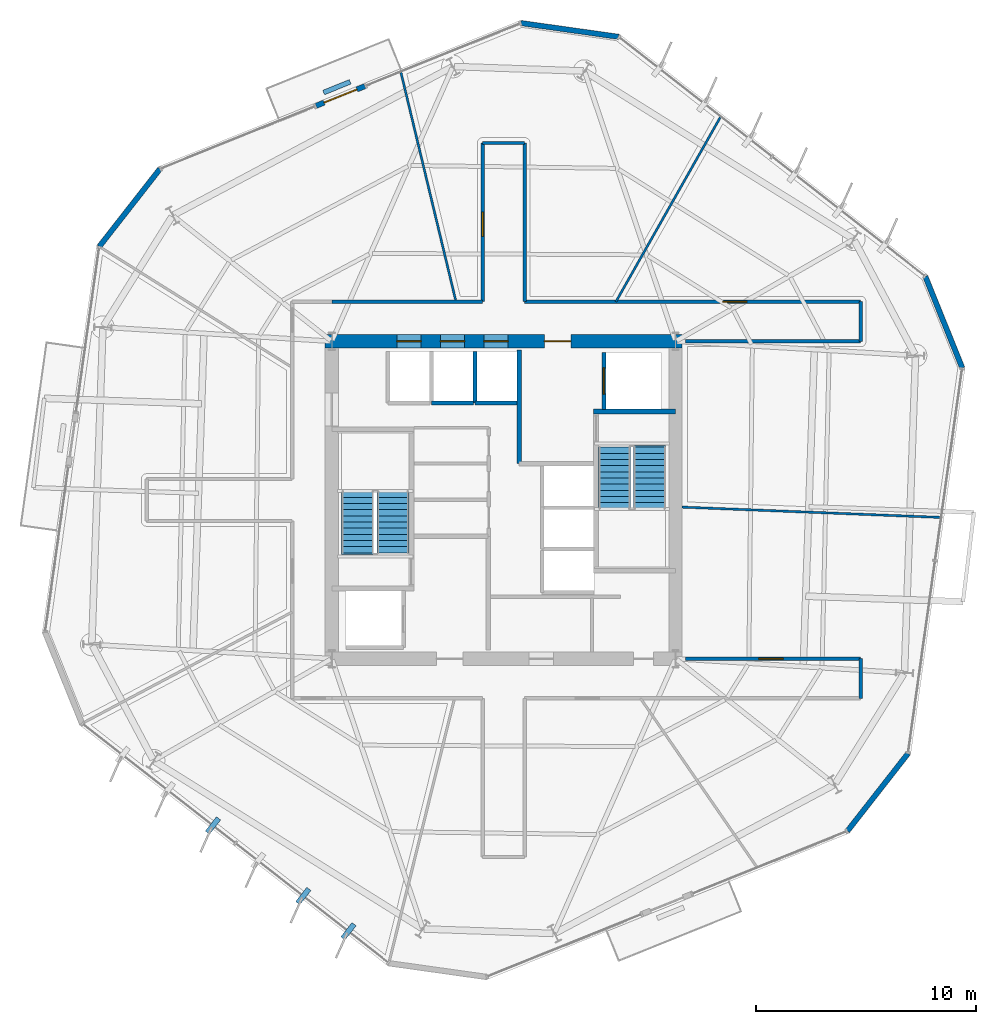
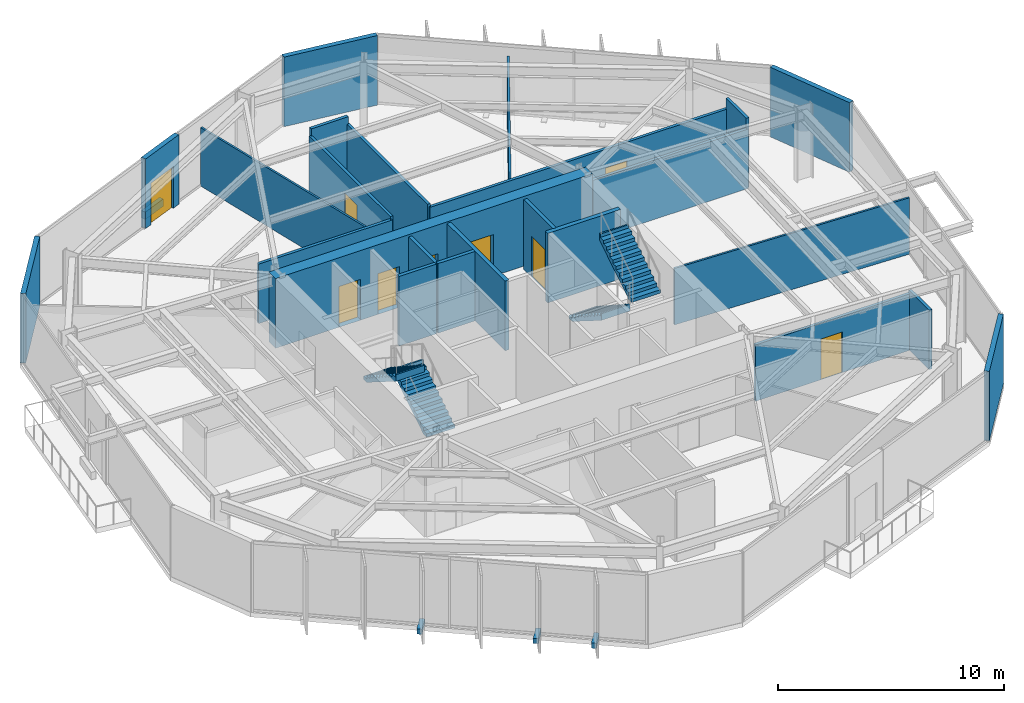
# One storey, part 8 of 12: 25 walls, 9 doors, 4 stair flights, 3 discrete accessories, 9 openings, 2 elements without a shape of their own.
"""IFC4 building model written with IfcOpenShell, lengths in metres."""

from ifc_helpers import new_model, si_unit, direction, frame, frame_2d, origin, origin_2d, place, context, subcontext, project, spatial, polyline, rectangle, outline, extrude, material, layer, layer_set, type_object, element, fill, aggregate, save


model = new_model("IFC4")

# Units and contexts
model_context = context("Model", 3, precision=1e-05, world=origin(), true_north=direction((0.0, 1.0)))
body_context = subcontext(model_context, "Body", "Model", "MODEL_VIEW")
ifc_project = project(units=[si_unit("LENGTHUNIT", "METRE"), si_unit("AREAUNIT", "SQUARE_METRE"), si_unit("VOLUMEUNIT", "CUBIC_METRE"), si_unit("PLANEANGLEUNIT", "RADIAN"), si_unit("MASSUNIT", "GRAM", prefix="KILO")], contexts=[model_context])

# Site, building, storey
site_placement = place(None, origin())
site = spatial("IfcSite", under=ifc_project, at=site_placement, CompositionType="ELEMENT")
building_placement = place(site_placement, origin())
building = spatial("IfcBuilding", under=site, at=building_placement, Name="Kranzbogen Civic Tower", CompositionType="ELEMENT")
storey_placement = place(building_placement, frame((0.0, 0.0, 110.39990234375)))
storey = spatial("IfcBuildingStorey", under=building, at=storey_placement, Name="L26", CompositionType="ELEMENT", Elevation=110.39990234375)

# Wall
ifc_material_1 = material(Name="Double-Stud Acoustic Gypsum Partition")
ifc_layer_1 = layer(ifc_material_1, 0.14990234375, Name="Double-Stud Acoustic Gypsum Partition")
ifc_layer_set_1 = layer_set([ifc_layer_1], Name="Double-Stud Acoustic Gypsum Partition")
wall_type_1 = type_object("IfcWallType", Name="Acoustic Corridor and Clinical Partition 150 mm", PredefinedType="PARTITIONING", material=ifc_layer_set_1)
wall_1_placement = place(storey_placement, frame((17.199951171875, 34.0, 0.0), z_axis=(0.0, 0.0, 1.0), x_axis=(1.0, 0.0, 0.0)))
element("IfcWall", 1, at=wall_1_placement, inside=storey, type_object=wall_type_1, Name="L26 corridor partition 10", PredefinedType="PARTITIONING", context=body_context, shape_type="SweptSolid", body=[
    extrude(rectangle(XDim=6.85009765625, YDim=0.14990234375, at=frame_2d((3.425048828125, 0.0))), origin(), (0.0, 0.0, 1.0), 3.210205078125),
])

# Wall, opening, door
wall_2_placement = place(storey_placement, frame((24.050048828125, 34.0, 0.0), z_axis=(0.0, 0.0, 1.0), x_axis=(0.0, 1.0, 0.0)))
wall_2 = element("IfcWall", 2, at=wall_2_placement, inside=storey, type_object=wall_type_1, Name="L26 corridor partition 11", PredefinedType="PARTITIONING", context=body_context, shape_type="SweptSolid", body=[
    extrude(rectangle(XDim=7.199951171875, YDim=0.14990234375, at=frame_2d((3.60009765625, 0.0))), origin(), (0.0, 0.0, 1.0), 3.360107421875),
])
opening_1_placement = place(wall_2_placement, frame((2.9619140625, 0.0, 0.0)))
opening_1 = element("IfcOpeningElement", 3, at=opening_1_placement, cuts=wall_2, Name="Opening D-COR60", PredefinedType="OPENING", context=body_context, shape_type="SweptSolid", body=[
    extrude(rectangle(XDim=1.10009765625, YDim=2.199951171875, at=frame_2d((0.550048828125, 1.10009765625))), frame((0.0, 0.0849609375, 0.0), z_axis=(0.0, -1.0, 0.0), x_axis=(1.0, 0.0, 0.0)), (0.0, 0.0, 1.0), 0.169921875),
])
ifc_material_2 = material(Name="Oak Timber and Fire Core", Category="wood")
door_type_1 = type_object("IfcDoorType", Name="Corridor Acoustic Fire Door 1100x2200", OperationType="NOTDEFINED", PredefinedType="DOOR", material=ifc_material_2)
door_1_placement = place(opening_1_placement, origin())
door_1 = element("IfcDoor", 4, at=door_1_placement, inside=storey, type_object=door_type_1, Name="L26 Executive Research Study door", OperationType="SINGLE_SWING_RIGHT", OverallHeight=2.199951171875, OverallWidth=1.10009765625, PredefinedType="DOOR", context=body_context, shape_type="SweptSolid", body=[
    extrude(rectangle(XDim=1.10009765625, YDim=2.199951171875, at=frame_2d((0.550048828125, 1.10009765625))), frame((0.0, 0.02490234375, 0.0), z_axis=(0.0, -1.0, 0.0), x_axis=(1.0, 0.0, 0.0)), (0.0, 0.0, 1.0), 0.050048828125),
])
fill(opening_1, door_1)

# Walls
wall_3_placement = place(storey_placement, frame((24.050048828125, 41.199951171875, 0.0), z_axis=(0.0, 0.0, 1.0), x_axis=(1.0, 0.0, 0.0)))
element("IfcWall", 5, at=wall_3_placement, inside=storey, type_object=wall_type_1, Name="L26 corridor partition 12", PredefinedType="PARTITIONING", context=body_context, shape_type="SweptSolid", body=[
    extrude(rectangle(XDim=1.89990234375, YDim=0.14990234375, at=frame_2d((0.949951171875, 0.0))), origin(), (0.0, 0.0, 1.0), 3.760009765625),
])
wall_4_placement = place(storey_placement, frame((25.949951171875, 41.199951171875, 0.0), z_axis=(0.0, 0.0, 1.0), x_axis=(0.0, -1.0, 0.0)))
element("IfcWall", 6, at=wall_4_placement, inside=storey, type_object=wall_type_1, Name="L26 corridor partition 13", PredefinedType="PARTITIONING", context=body_context, shape_type="SweptSolid", body=[
    extrude(rectangle(XDim=7.199951171875, YDim=0.14990234375, at=frame_2d((3.60009765625, 0.0))), origin(), (0.0, 0.0, 1.0), 3.360107421875),
])

# Wall, opening, door
wall_5_placement = place(storey_placement, frame((25.949951171875, 34.0, 0.0), z_axis=(0.0, 0.0, 1.0), x_axis=(1.0, 0.0, 0.0)))
wall_5 = element("IfcWall", 7, at=wall_5_placement, inside=storey, type_object=wall_type_1, Name="L26 corridor partition 14", PredefinedType="PARTITIONING", context=body_context, shape_type="SweptSolid", body=[
    extrude(rectangle(XDim=15.25, YDim=0.14990234375, at=frame_2d((7.625, 0.0))), origin(), (0.0, 0.0, 1.0), 3.210205078125),
])
opening_2_placement = place(wall_5_placement, frame((8.987060546875, 0.0, 0.0)))
opening_2 = element("IfcOpeningElement", 8, at=opening_2_placement, cuts=wall_5, Name="Opening D-COR60", PredefinedType="OPENING", context=body_context, shape_type="SweptSolid", body=[
    extrude(rectangle(XDim=1.10009765625, YDim=2.199951171875, at=frame_2d((0.550048828125, 1.10009765625))), frame((0.0, 0.0849609375, 0.0), z_axis=(0.0, -1.0, 0.0), x_axis=(1.0, 0.0, 0.0)), (0.0, 0.0, 1.0), 0.169921875),
])
door_2_placement = place(opening_2_placement, origin())
door_2 = element("IfcDoor", 9, at=door_2_placement, inside=storey, type_object=door_type_1, Name="L26 Policy Seminar Room door", OperationType="SINGLE_SWING_RIGHT", OverallHeight=2.199951171875, OverallWidth=1.10009765625, PredefinedType="DOOR", context=body_context, shape_type="SweptSolid", body=[
    extrude(rectangle(XDim=1.10009765625, YDim=2.199951171875, at=frame_2d((0.550048828125, 1.10009765625))), frame((0.0, 0.02490234375, 0.0), z_axis=(0.0, -1.0, 0.0), x_axis=(1.0, 0.0, 0.0)), (0.0, 0.0, 1.0), 0.050048828125),
])
fill(opening_2, door_2)

# Walls
wall_6_placement = place(storey_placement, frame((41.199951171875, 34.0, 0.0), z_axis=(0.0, 0.0, 1.0), x_axis=(0.0, -1.0, 0.0)))
element("IfcWall", 10, at=wall_6_placement, inside=storey, type_object=wall_type_1, Name="L26 corridor partition 15", PredefinedType="PARTITIONING", context=body_context, shape_type="SweptSolid", body=[
    extrude(rectangle(XDim=1.800048828125, YDim=0.14990234375, at=frame_2d((0.89990234375, 0.0))), origin(), (0.0, 0.0, 1.0), 3.760009765625),
])
wall_7_placement = place(storey_placement, frame((41.199951171875, 32.199951171875, 0.0), z_axis=(0.0, 0.0, 1.0), x_axis=(-1.0, 0.0, 0.0)))
element("IfcWall", 11, at=wall_7_placement, inside=storey, type_object=wall_type_1, Name="L26 corridor partition 16", PredefinedType="PARTITIONING", context=body_context, shape_type="SweptSolid", body=[
    extrude(rectangle(XDim=7.952880859375, YDim=0.14990234375, at=frame_2d((3.9765625, 0.0))), origin(), (0.0, 0.0, 1.0), 3.210205078125),
])

# Wall, opening, door
wall_8_placement = place(storey_placement, frame((33.2470703125, 17.800048828125, 0.0), z_axis=(0.0, 0.0, 1.0), x_axis=(1.0, 0.0, 0.0)))
wall_8 = element("IfcWall", 12, at=wall_8_placement, inside=storey, type_object=wall_type_1, Name="L26 corridor partition 17", PredefinedType="PARTITIONING", context=body_context, shape_type="SweptSolid", body=[
    extrude(rectangle(XDim=7.952880859375, YDim=0.14990234375, at=frame_2d((3.9765625, 0.0))), origin(), (0.0, 0.0, 1.0), 3.050048828125),
])
opening_3_placement = place(wall_8_placement, frame((3.337890625, 0.0, 0.0)))
opening_3 = element("IfcOpeningElement", 13, at=opening_3_placement, cuts=wall_8, Name="Opening D-COR60", PredefinedType="OPENING", context=body_context, shape_type="SweptSolid", body=[
    extrude(rectangle(XDim=1.10009765625, YDim=2.199951171875, at=frame_2d((0.550048828125, 1.10009765625))), frame((0.0, 0.0849609375, 0.0), z_axis=(0.0, -1.0, 0.0), x_axis=(1.0, 0.0, 0.0)), (0.0, 0.0, 1.0), 0.169921875),
])
door_3_placement = place(opening_3_placement, origin())
door_3 = element("IfcDoor", 14, at=door_3_placement, inside=storey, type_object=door_type_1, Name="L26 Delegates Sitting Lounge door", OperationType="SINGLE_SWING_LEFT", OverallHeight=2.199951171875, OverallWidth=1.10009765625, PredefinedType="DOOR", context=body_context, shape_type="SweptSolid", body=[
    extrude(rectangle(XDim=1.10009765625, YDim=2.199951171875, at=frame_2d((0.550048828125, 1.10009765625))), frame((0.0, 0.02490234375, 0.0), z_axis=(0.0, -1.0, 0.0), x_axis=(1.0, 0.0, 0.0)), (0.0, 0.0, 1.0), 0.050048828125),
])
fill(opening_3, door_3)

# Walls
wall_9_placement = place(storey_placement, frame((41.199951171875, 17.800048828125, 0.0), z_axis=(0.0, 0.0, 1.0), x_axis=(0.0, -1.0, 0.0)))
element("IfcWall", 15, at=wall_9_placement, inside=storey, type_object=wall_type_1, Name="L26 corridor partition 18", PredefinedType="PARTITIONING", context=body_context, shape_type="SweptSolid", body=[
    extrude(rectangle(XDim=1.800048828125, YDim=0.14990234375, at=frame_2d((0.89990234375, 0.0))), origin(), (0.0, 0.0, 1.0), 3.210205078125),
])
ifc_material_3 = material(Name="Architectural Precast Terracotta Concrete C40/50", Category="masonry")
ifc_layer_2 = layer(ifc_material_3, 0.219970703125, Name="Architectural Precast Terracotta Concrete C40/50")
ifc_layer_set_2 = layer_set([ifc_layer_2], Name="Architectural Precast Terracotta Concrete C40/50")
wall_type_2 = type_object("IfcWallType", Name="Architectural Tree Planter Kerb Wall 220 mm", PredefinedType="USERDEFINED", material=ifc_layer_set_2)
wall_10_placement = place(storey_placement, frame((18.033935546875, 43.97705078125, 0.0), z_axis=(0.0, 0.0, 1.0), x_axis=(-0.926980993663, -0.375108300877, 0.0)))
element("IfcWall", 16, at=wall_10_placement, inside=storey, type_object=wall_type_2, Name="L26 landscaped tree balcony planter L26-TB1", ObjectType="PLANTER_WALL", PredefinedType="USERDEFINED", context=body_context, shape_type="SweptSolid", body=[
    extrude(rectangle(XDim=1.301025390625, YDim=0.219970703125, at=frame_2d((0.650390625, 0.0))), origin(), (0.0, 0.0, 1.0), 0.400146484375),
])

# Wall, openings, doors
ifc_material_4 = material(Name="Concrete C55/67", Category="concrete")
ifc_layer_3 = layer(ifc_material_4, 0.60009765625, Name="Concrete C55/67")
ifc_layer_set_3 = layer_set([ifc_layer_3], Name="Concrete C55/67")
wall_type_3 = type_object("IfcWallType", Name="Central Core Shear Wall 600 mm", PredefinedType="SHEAR", material=ifc_layer_set_3)
wall_11_placement = place(storey_placement, frame((33.10009765625, 32.199951171875, 0.0), z_axis=(0.0, 0.0, 1.0), x_axis=(-1.0, 0.0, 0.0)))
wall_11 = element("IfcWall", 17, at=wall_11_placement, inside=storey, type_object=wall_type_3, Name="L26 central core North shear wall", PredefinedType="SHEAR", context=body_context, shape_type="SweptSolid", body=[
    extrude(rectangle(XDim=16.2001953125, YDim=0.60009765625, at=frame_2d((8.10009765625, 0.0))), origin(), (0.0, 0.0, 1.0), 3.760009765625),
])
opening_4_placement = place(wall_11_placement, frame((5.050048828125, 0.0, 0.0)))
opening_4 = element("IfcOpeningElement", 18, at=opening_4_placement, cuts=wall_11, Name="Opening D-EX120", PredefinedType="OPENING", context=body_context, shape_type="SweptSolid", body=[
    extrude(rectangle(XDim=1.199951171875, YDim=2.25, at=frame_2d((0.60009765625, 1.125))), frame((0.0, 0.31005859375, 0.0), z_axis=(0.0, -1.0, 0.0), x_axis=(1.0, 0.0, 0.0)), (0.0, 0.0, 1.0), 0.6201171875),
])
opening_5_placement = place(wall_11_placement, frame((11.85009765625, 0.0, 0.0)))
opening_5 = element("IfcOpeningElement", 19, at=opening_5_placement, cuts=wall_11, Name="Opening LD-MP-01", PredefinedType="OPENING", context=body_context, shape_type="SweptSolid", body=[
    extrude(rectangle(XDim=1.10009765625, YDim=2.199951171875, at=frame_2d((0.550048828125, 1.10009765625))), frame((0.0, 0.31005859375, 0.0), z_axis=(0.0, -1.0, 0.0), x_axis=(1.0, 0.0, 0.0)), (0.0, 0.0, 1.0), 0.6201171875),
])
opening_6_placement = place(wall_11_placement, frame((9.875, 0.0, 0.0)))
opening_6 = element("IfcOpeningElement", 20, at=opening_6_placement, cuts=wall_11, Name="Opening LD-MP-02", PredefinedType="OPENING", context=body_context, shape_type="SweptSolid", body=[
    extrude(rectangle(XDim=1.10009765625, YDim=2.199951171875, at=frame_2d((0.550048828125, 1.10009765625))), frame((0.0, 0.31005859375, 0.0), z_axis=(0.0, -1.0, 0.0), x_axis=(1.0, 0.0, 0.0)), (0.0, 0.0, 1.0), 0.6201171875),
])
opening_7_placement = place(wall_11_placement, frame((7.89990234375, 0.0, 0.0)))
opening_7 = element("IfcOpeningElement", 21, at=opening_7_placement, cuts=wall_11, Name="Opening LD-MP-03", PredefinedType="OPENING", context=body_context, shape_type="SweptSolid", body=[
    extrude(rectangle(XDim=1.10009765625, YDim=2.199951171875, at=frame_2d((0.550048828125, 1.10009765625))), frame((0.0, 0.31005859375, 0.0), z_axis=(0.0, -1.0, 0.0), x_axis=(1.0, 0.0, 0.0)), (0.0, 0.0, 1.0), 0.6201171875),
])
ifc_material_5 = material(Name="Steel S355", Category="steel")
door_type_2 = type_object("IfcDoorType", Name="Exit Passageway Fire Door 1200x2250", OperationType="NOTDEFINED", PredefinedType="DOOR", material=ifc_material_5)
door_4_placement = place(opening_4_placement, origin())
door_4 = element("IfcDoor", 22, at=door_4_placement, inside=storey, type_object=door_type_2, Name="L26 East firefighting lobby corridor door", OperationType="SINGLE_SWING_RIGHT", OverallHeight=2.25, OverallWidth=1.199951171875, PredefinedType="DOOR", context=body_context, shape_type="SweptSolid", body=[
    extrude(rectangle(XDim=1.199951171875, YDim=2.25, at=frame_2d((0.60009765625, 1.125))), frame((0.0, 0.02490234375, 0.0), z_axis=(0.0, -1.0, 0.0), x_axis=(1.0, 0.0, 0.0)), (0.0, 0.0, 1.0), 0.050048828125),
])
fill(opening_4, door_4)
ifc_material_6 = material(Name="Pale Anodised Aluminium", Category="aluminium")
door_type_3 = type_object("IfcDoorType", Name="Passenger Lift Sliding Landing Door 1100x2200", OperationType="DOUBLE_DOOR_SLIDING", PredefinedType="DOOR", material=ifc_material_6)
door_5_placement = place(opening_5_placement, origin())
door_5 = element("IfcDoor", 23, at=door_5_placement, inside=storey, type_object=door_type_3, Name="L26 lift MP-01 sliding landing door", OperationType="DOUBLE_DOOR_SLIDING", OverallHeight=2.199951171875, OverallWidth=1.10009765625, PredefinedType="DOOR", context=body_context, shape_type="SweptSolid", body=[
    extrude(rectangle(XDim=1.10009765625, YDim=2.199951171875, at=frame_2d((0.550048828125, 1.10009765625))), frame((0.0, 0.02490234375, 0.0), z_axis=(0.0, -1.0, 0.0), x_axis=(1.0, 0.0, 0.0)), (0.0, 0.0, 1.0), 0.050048828125),
])
fill(opening_5, door_5)
door_6_placement = place(opening_6_placement, origin())
door_6 = element("IfcDoor", 24, at=door_6_placement, inside=storey, type_object=door_type_3, Name="L26 lift MP-02 sliding landing door", OperationType="DOUBLE_DOOR_SLIDING", OverallHeight=2.199951171875, OverallWidth=1.10009765625, PredefinedType="DOOR", context=body_context, shape_type="SweptSolid", body=[
    extrude(rectangle(XDim=1.10009765625, YDim=2.199951171875, at=frame_2d((0.550048828125, 1.10009765625))), frame((0.0, 0.02490234375, 0.0), z_axis=(0.0, -1.0, 0.0), x_axis=(1.0, 0.0, 0.0)), (0.0, 0.0, 1.0), 0.050048828125),
])
fill(opening_6, door_6)
door_7_placement = place(opening_7_placement, origin())
door_7 = element("IfcDoor", 25, at=door_7_placement, inside=storey, type_object=door_type_3, Name="L26 lift MP-03 sliding landing door", OperationType="DOUBLE_DOOR_SLIDING", OverallHeight=2.199951171875, OverallWidth=1.10009765625, PredefinedType="DOOR", context=body_context, shape_type="SweptSolid", body=[
    extrude(rectangle(XDim=1.10009765625, YDim=2.199951171875, at=frame_2d((0.550048828125, 1.10009765625))), frame((0.0, 0.02490234375, 0.0), z_axis=(0.0, -1.0, 0.0), x_axis=(1.0, 0.0, 0.0)), (0.0, 0.0, 1.0), 0.050048828125),
])
fill(opening_7, door_7)

# Walls
ifc_material_7 = material(Name="Concrete C45/55", Category="concrete")
ifc_layer_4 = layer(ifc_material_7, 0.219970703125, Name="Concrete C45/55")
ifc_layer_set_4 = layer_set([ifc_layer_4], Name="Concrete C45/55")
wall_type_4 = type_object("IfcWallType", Name="Core Internal Stair Structural Wall 220 mm", PredefinedType="SOLIDWALL", material=ifc_layer_set_4)
wall_12_placement = place(storey_placement, frame((29.080078125, 29.010009765625, 0.0), z_axis=(0.0, 0.0, 1.0), x_axis=(1.0, 0.0, 0.0)))
element("IfcWall", 26, at=wall_12_placement, inside=storey, type_object=wall_type_4, Name="L26 ST-T2 North structural stair wall", PredefinedType="SOLIDWALL", context=body_context, shape_type="SweptSolid", body=[
    extrude(rectangle(XDim=3.719970703125, YDim=0.219970703125, at=frame_2d((1.85986328125, 0.0))), origin(), (0.0, 0.0, 1.0), 3.760009765625),
])
ifc_material_8 = material(Name="Demountable Aluminium and Gypsum Partition", Category="aluminium")
ifc_layer_5 = layer(ifc_material_8, 0.10009765625, Name="Demountable Aluminium and Gypsum Partition")
ifc_layer_set_5 = layer_set([ifc_layer_5], Name="Demountable Aluminium and Gypsum Partition")
wall_type_5 = type_object("IfcWallType", Name="Demountable Office Partition 100 mm", PredefinedType="MOVABLE", material=ifc_layer_set_5)
wall_13_placement = place(storey_placement, frame((30.094970703125, 34.0, 0.0), z_axis=(0.0, 0.0, 1.0), x_axis=(0.492564171428, 0.870276126885, 0.0)))
element("IfcWall", 27, at=wall_13_placement, inside=storey, type_object=wall_type_5, Name="L26 radial room partition 01", PredefinedType="MOVABLE", context=body_context, shape_type="SweptSolid", body=[
    extrude(rectangle(XDim=9.631591796875, YDim=0.10009765625, at=frame_2d((4.81591796875, 0.0))), origin(), (0.0, 0.0, 1.0), 3.16015625),
])
wall_14_placement = place(storey_placement, frame((22.8369140625, 34.0, 0.0), z_axis=(0.0, 0.0, 1.0), x_axis=(-0.233627966114, 0.97232606334, 0.0)))
element("IfcWall", 28, at=wall_14_placement, inside=storey, type_object=wall_type_5, Name="L26 radial room partition 02", PredefinedType="MOVABLE", context=body_context, shape_type="SweptSolid", body=[
    extrude(rectangle(XDim=10.717529296875, YDim=0.10009765625, at=frame_2d((5.35888671875, 0.0))), origin(), (0.0, 0.0, 1.0), 3.16015625),
])
wall_15_placement = place(storey_placement, frame((33.10009765625, 24.677001953125, 0.0), z_axis=(0.0, 0.0, 1.0), x_axis=(0.999206030208, -0.039841049127, 0.0)))
element("IfcWall", 29, at=wall_15_placement, inside=storey, type_object=wall_type_5, Name="L26 radial room partition 07", PredefinedType="MOVABLE", context=body_context, shape_type="SweptSolid", body=[
    extrude(rectangle(XDim=11.7470703125, YDim=0.10009765625, at=frame_2d((5.87353515625, 0.0))), origin(), (0.0, 0.0, 1.0), 3.050048828125),
])
ifc_material_9 = material(Name="Gypsum Fireboard and Concrete Block", Category="concrete")
ifc_layer_6 = layer(ifc_material_9, 0.199951171875, Name="Gypsum Fireboard and Concrete Block")
ifc_layer_set_6 = layer_set([ifc_layer_6], Name="Gypsum Fireboard and Concrete Block")
wall_type_6 = type_object("IfcWallType", Name="Fire-Rated Exit Passageway and Stair Wall 200 mm", PredefinedType="PARTITIONING", material=ifc_layer_set_6)
wall_16_placement = place(storey_placement, frame((25.699951171875, 26.64990234375, 0.0), z_axis=(0.0, 0.0, 1.0), x_axis=(0.0, 1.0, 0.0)))
element("IfcWall", 30, at=wall_16_placement, inside=storey, type_object=wall_type_6, Name="L26 East firefighting lobby West wall", PredefinedType="PARTITIONING", context=body_context, shape_type="SweptSolid", body=[
    extrude(rectangle(XDim=5.150146484375, YDim=0.199951171875, at=frame_2d((2.5751953125, 0.0))), origin(), (0.0, 0.0, 1.0), 3.760009765625),
])
ifc_material_10 = material(Name="Gypsum Fireboard Shaftliner")
ifc_layer_7 = layer(ifc_material_10, 0.175048828125, Name="Gypsum Fireboard Shaftliner")
ifc_layer_set_7 = layer_set([ifc_layer_7], Name="Gypsum Fireboard Shaftliner")
wall_type_7 = type_object("IfcWallType", Name="Fire-Rated Lift and Service Shaft Wall 175 mm", PredefinedType="PARTITIONING", material=ifc_layer_set_7)
wall_17_placement = place(storey_placement, frame((21.72509765625, 29.39990234375, 0.0), z_axis=(0.0, 0.0, 1.0), x_axis=(1.0, 0.0, 0.0)))
element("IfcWall", 31, at=wall_17_placement, inside=storey, type_object=wall_type_7, Name="L26 lift MP-02 rear wall", PredefinedType="PARTITIONING", context=body_context, shape_type="SweptSolid", body=[
    extrude(rectangle(XDim=1.89990234375, YDim=0.175048828125, at=frame_2d((0.949951171875, 0.0))), origin(), (0.0, 0.0, 1.0), 3.760009765625),
])
wall_18_placement = place(storey_placement, frame((23.699951171875, 29.39990234375, 0.0), z_axis=(0.0, 0.0, 1.0), x_axis=(1.0, 0.0, 0.0)))
element("IfcWall", 32, at=wall_18_placement, inside=storey, type_object=wall_type_7, Name="L26 lift MP-03 rear wall", PredefinedType="PARTITIONING", context=body_context, shape_type="SweptSolid", body=[
    extrude(rectangle(XDim=1.900146484375, YDim=0.175048828125, at=frame_2d((0.9501953125, 0.0))), origin(), (0.0, 0.0, 1.0), 3.760009765625),
])
wall_19_placement = place(storey_placement, frame((23.699951171875, 29.39990234375, 0.0), z_axis=(0.0, 0.0, 1.0), x_axis=(0.0, 1.0, 0.0)))
element("IfcWall", 33, at=wall_19_placement, inside=storey, type_object=wall_type_7, Name="L26 lift MP-03 side wall", PredefinedType="PARTITIONING", context=body_context, shape_type="SweptSolid", body=[
    extrude(rectangle(XDim=2.35009765625, YDim=0.175048828125, at=frame_2d((1.175048828125, 0.0))), origin(), (0.0, 0.0, 1.0), 3.760009765625),
])

# Wall, opening, door
wall_20_placement = place(storey_placement, frame((29.550048828125, 29.10009765625, 0.0), z_axis=(0.0, 0.0, 1.0), x_axis=(0.0, 1.0, 0.0)))
wall_20 = element("IfcWall", 34, at=wall_20_placement, inside=storey, type_object=wall_type_7, Name="L26 lift FF-02 landing wall", PredefinedType="PARTITIONING", context=body_context, shape_type="SweptSolid", body=[
    extrude(rectangle(XDim=2.599853515625, YDim=0.175048828125, at=frame_2d((1.2998046875, 0.0))), origin(), (0.0, 0.0, 1.0), 3.760009765625),
])
opening_8_placement = place(wall_20_placement, frame((0.699951171875, 0.0, 0.0)))
opening_8 = element("IfcOpeningElement", 35, at=opening_8_placement, cuts=wall_20, Name="Opening LD-FF-02", PredefinedType="OPENING", context=body_context, shape_type="SweptSolid", body=[
    extrude(rectangle(XDim=1.199951171875, YDim=2.199951171875, at=frame_2d((0.60009765625, 1.10009765625))), frame((0.0, 0.09765625, 0.0), z_axis=(0.0, -1.0, 0.0), x_axis=(1.0, 0.0, 0.0)), (0.0, 0.0, 1.0), 0.195068359375),
])
door_type_4 = type_object("IfcDoorType", Name="Firefighting and Stretcher Lift Sliding Landing Door 1200x2200", OperationType="DOUBLE_DOOR_SLIDING", PredefinedType="DOOR", material=ifc_material_6)
door_8_placement = place(opening_8_placement, origin())
door_8 = element("IfcDoor", 36, at=door_8_placement, inside=storey, type_object=door_type_4, Name="L26 lift FF-02 sliding landing door", OperationType="DOUBLE_DOOR_SLIDING", OverallHeight=2.199951171875, OverallWidth=1.199951171875, PredefinedType="DOOR", context=body_context, shape_type="SweptSolid", body=[
    extrude(rectangle(XDim=1.199951171875, YDim=2.199951171875, at=frame_2d((0.60009765625, 1.10009765625))), frame((0.0, 0.02490234375, 0.0), z_axis=(0.0, -1.0, 0.0), x_axis=(1.0, 0.0, 0.0)), (0.0, 0.0, 1.0), 0.050048828125),
])
fill(opening_8, door_8)

# Wall
ifc_layer_8 = layer(ifc_material_6, 0.239990234375, Name="Pale Anodised Aluminium")
ifc_layer_set_8 = layer_set([ifc_layer_8], Name="Pale Anodised Aluminium")
wall_type_8 = type_object("IfcWallType", Name="Insulated Aluminium Facade Portal Wall 240 mm", PredefinedType="STANDARD", material=ifc_layer_set_8)
wall_21_placement = place(storey_placement, frame((30.2109375, 46.01904296875, 0.0), z_axis=(0.0, 0.0, 1.0), x_axis=(-0.990241158584, 0.139364442547, 0.0)))
element("IfcWall", 37, at=wall_21_placement, inside=storey, type_object=wall_type_8, Name="L26 chamfered corner facade spandrel 1", PredefinedType="STANDARD", context=body_context, shape_type="SweptSolid", body=[
    extrude(rectangle(XDim=4.470703125, YDim=0.239990234375, at=frame_2d((2.2353515625, 0.0))), origin(), (0.0, 0.0, 1.0), 3.760009765625),
])

# Wall, opening, door
wall_22_placement = place(storey_placement, frame((18.7060546875, 43.781982421875, 0.0), z_axis=(0.0, 0.0, 1.0), x_axis=(-0.927194278769, -0.374580791576, 0.0)))
wall_22 = element("IfcWall", 38, at=wall_22_placement, inside=storey, type_object=wall_type_8, Name="L26 exterior entrance portal wall 1", PredefinedType="STANDARD", context=body_context, shape_type="SweptSolid", body=[
    extrude(rectangle(XDim=2.39990234375, YDim=0.239990234375, at=frame_2d((1.199951171875, 0.0))), origin(), (0.0, 0.0, 1.0), 3.760009765625),
])
opening_9_placement = place(wall_22_placement, frame((0.39990234375, 0.0, 0.0)))
opening_9 = element("IfcOpeningElement", 39, at=opening_9_placement, cuts=wall_22, Name="Opening D-TER", PredefinedType="OPENING", context=body_context, shape_type="SweptSolid", body=[
    extrude(rectangle(XDim=1.60009765625, YDim=2.25, at=frame_2d((0.800048828125, 1.125))), frame((0.0, 0.1298828125, 0.0), z_axis=(0.0, -1.0, 0.0), x_axis=(1.0, 0.0, 0.0)), (0.0, 0.0, 1.0), 0.260009765625),
])
ifc_material_11 = material(Name="Anodised Bronze and Triple Glass", Category="glass")
door_type_5 = type_object("IfcDoorType", Name="Glazed Terrace and Balcony Double Door 1600x2250", OperationType="DOUBLE_DOOR_SINGLE_SWING", PredefinedType="DOOR", material=ifc_material_11)
door_9_placement = place(opening_9_placement, frame((1.60009765625, 0.0, 0.0), z_axis=(0.0, 0.0, 1.0), x_axis=(-1.0, 0.0, 0.0)))
door_9 = element("IfcDoor", 40, at=door_9_placement, inside=storey, type_object=door_type_5, Name="L26 tree balcony access door L26-TB1", OperationType="DOUBLE_DOOR_SINGLE_SWING", OverallHeight=2.25, OverallWidth=1.60009765625, PredefinedType="DOOR", context=body_context, shape_type="SweptSolid", body=[
    extrude(rectangle(XDim=1.60009765625, YDim=2.25, at=frame_2d((0.800048828125, 1.125))), frame((0.0, 0.02490234375, 0.0), z_axis=(0.0, -1.0, 0.0), x_axis=(1.0, 0.0, 0.0)), (0.0, 0.0, 1.0), 0.050048828125),
])
fill(opening_9, door_9)

# Walls
for number, where, z_axis, x_axis, name in (
    (41, (9.403076171875, 40.02294921875, 0.0), (0.0, 0.0, 1.0), (-0.615764831552, -0.787929991956, 0.0), "L26 chamfered corner facade spandrel 2"),
    (42, (40.596923828125, 9.97705078125, 0.0), (0.0, 0.0, 1.0), (0.615764831552, 0.787929991956, 0.0), "L26 chamfered corner facade spandrel 5"),
):
    element("IfcWall", number, at=place(storey_placement, frame(where, z_axis=z_axis, x_axis=x_axis)), inside=storey, type_object=wall_type_8, Name=name, PredefinedType="STANDARD", context=body_context, shape_type="SweptSolid", body=[
        extrude(rectangle(XDim=4.47119140625, YDim=0.239990234375, at=frame_2d((2.235595703125, 0.0))), origin(), (0.0, 0.0, 1.0), 3.760009765625),
    ])
wall_23_placement = place(storey_placement, frame((45.80908203125, 30.99609375, 0.0), z_axis=(0.0, 0.0, 1.0), x_axis=(-0.374674323127, 0.927156487109, 0.0)))
element("IfcWall", 43, at=wall_23_placement, inside=storey, type_object=wall_type_8, Name="L26 chamfered corner facade spandrel 6", PredefinedType="STANDARD", context=body_context, shape_type="SweptSolid", body=[
    extrude(rectangle(XDim=4.470703125, YDim=0.239990234375, at=frame_2d((2.2353515625, 0.0))), origin(), (0.0, 0.0, 1.0), 3.760009765625),
])

# Stair, stair flights
ifc_material_12 = material(Name="Precast concrete C40/50", Category="concrete")
stair_type_1 = type_object("IfcStairType", Name="Tower Core Pressurized Dogleg Stair 1450", PredefinedType="HALF_TURN_STAIR", material=ifc_material_12)
stair_1_placement = place(storey_placement, origin())
stair_1 = element("IfcStair", 44, at=stair_1_placement, inside=storey, type_object=stair_type_1, Name="L26 Tower Core Pressurized Stair 1", PredefinedType="HALF_TURN_STAIR")
stair_flight_type = type_object("IfcStairFlightType", Name="Precast Concrete Stair Flight R180", PredefinedType="STRAIGHT", material=ifc_material_12)
stair_flight_1_placement = place(storey_placement, frame((19.97509765625, 22.60009765625, 0.0), z_axis=(0.0, 0.0, 1.0), x_axis=(0.0, 1.0, 0.0)))
stair_flight_1 = element("IfcStairFlight", 45, at=stair_flight_1_placement, type_object=stair_flight_type, Name="ST-T1 flight 1", NumberOfRisers=11, NumberOfTreads=10, PredefinedType="STRAIGHT", RiserHeight=0.181818182, TreadLength=0.28, context=body_context, shape_type="SweptSolid", body=[
    extrude(outline(polyline([(0.0, 0.0), (0.0, 0.181884765625), (0.280029296875, 0.181884765625), (0.280029296875, 0.363525390625), (0.56005859375, 0.363525390625), (0.56005859375, 0.54541015625), (0.840087890625, 0.54541015625), (0.840087890625, 0.727294921875), (1.1201171875, 0.727294921875), (1.1201171875, 0.9091796875), (1.39990234375, 0.9091796875), (1.39990234375, 1.0908203125), (1.679931640625, 1.0908203125), (1.679931640625, 1.272705078125), (1.9599609375, 1.272705078125), (1.9599609375, 1.45458984375), (2.239990234375, 1.45458984375), (2.239990234375, 1.636474609375), (2.52001953125, 1.636474609375), (2.52001953125, 1.818115234375), (2.800048828125, 1.818115234375), (2.800048828125, 2.0), (2.880126953125, 2.0), (2.880126953125, 1.639404296875), (0.275146484375, 0.0), (0.0, 0.0)])), frame((0.0, 0.72509765625, 0.0), z_axis=(0.0, -1.0, 0.0), x_axis=(1.0, 0.0, 0.0)), (0.0, 0.0, 1.0), 1.449951171875),
])
stair_flight_2_placement = place(storey_placement, frame((18.375, 25.39990234375, 2.0), z_axis=(0.0, 0.0, 1.0), x_axis=(0.0, -1.0, 0.0)))
stair_flight_2 = element("IfcStairFlight", 46, at=stair_flight_2_placement, type_object=stair_flight_type, Name="ST-T1 flight 2", NumberOfRisers=11, NumberOfTreads=10, PredefinedType="STRAIGHT", RiserHeight=0.181818182, TreadLength=0.28, context=body_context, shape_type="SweptSolid", body=[
    extrude(outline(polyline([(0.0, 0.0), (0.0, 0.181884765625), (0.280029296875, 0.181884765625), (0.280029296875, 0.363525390625), (0.56005859375, 0.363525390625), (0.56005859375, 0.54541015625), (0.840087890625, 0.54541015625), (0.840087890625, 0.727294921875), (1.1201171875, 0.727294921875), (1.1201171875, 0.9091796875), (1.39990234375, 0.9091796875), (1.39990234375, 1.0908203125), (1.679931640625, 1.0908203125), (1.679931640625, 1.272705078125), (1.9599609375, 1.272705078125), (1.9599609375, 1.45458984375), (2.239990234375, 1.45458984375), (2.239990234375, 1.636474609375), (2.52001953125, 1.636474609375), (2.52001953125, 1.818115234375), (2.800048828125, 1.818115234375), (2.800048828125, 2.0), (2.880126953125, 2.0), (2.880126953125, 1.639404296875), (0.275146484375, 0.0), (0.0, 0.0)])), frame((0.0, 0.72509765625, 0.0), z_axis=(0.0, -1.0, 0.0), x_axis=(1.0, 0.0, 0.0)), (0.0, 0.0, 1.0), 1.449951171875),
])
aggregate(stair_1, [stair_flight_1, stair_flight_2])

stair_type_2 = type_object("IfcStairType", Name="Tower Core Secondary Dogleg Stair 1450", PredefinedType="HALF_TURN_STAIR", material=ifc_material_12)
stair_2_placement = place(storey_placement, origin())
stair_2 = element("IfcStair", 47, at=stair_2_placement, inside=storey, type_object=stair_type_2, Name="L26 Tower Core Pressurized Stair 2", PredefinedType="HALF_TURN_STAIR")
stair_flight_3_placement = place(storey_placement, frame((30.02490234375, 27.39990234375, 0.0), z_axis=(0.0, 0.0, 1.0), x_axis=(0.0, -1.0, 0.0)))
stair_flight_3 = element("IfcStairFlight", 48, at=stair_flight_3_placement, type_object=stair_flight_type, Name="ST-T2 flight 1", NumberOfRisers=11, NumberOfTreads=10, PredefinedType="STRAIGHT", RiserHeight=0.181818182, TreadLength=0.28, context=body_context, shape_type="SweptSolid", body=[
    extrude(outline(polyline([(0.0, 0.0), (0.0, 0.181884765625), (0.280029296875, 0.181884765625), (0.280029296875, 0.363525390625), (0.56005859375, 0.363525390625), (0.56005859375, 0.54541015625), (0.840087890625, 0.54541015625), (0.840087890625, 0.727294921875), (1.1201171875, 0.727294921875), (1.1201171875, 0.9091796875), (1.39990234375, 0.9091796875), (1.39990234375, 1.0908203125), (1.679931640625, 1.0908203125), (1.679931640625, 1.272705078125), (1.9599609375, 1.272705078125), (1.9599609375, 1.45458984375), (2.239990234375, 1.45458984375), (2.239990234375, 1.636474609375), (2.52001953125, 1.636474609375), (2.52001953125, 1.818115234375), (2.800048828125, 1.818115234375), (2.800048828125, 2.0), (2.880126953125, 2.0), (2.880126953125, 1.639404296875), (0.275146484375, 0.0), (0.0, 0.0)])), frame((0.0, 0.72509765625, 0.0), z_axis=(0.0, -1.0, 0.0), x_axis=(1.0, 0.0, 0.0)), (0.0, 0.0, 1.0), 1.449951171875),
])
stair_flight_4_placement = place(storey_placement, frame((31.625, 24.60009765625, 2.0), z_axis=(0.0, 0.0, 1.0), x_axis=(0.0, 1.0, 0.0)))
stair_flight_4 = element("IfcStairFlight", 49, at=stair_flight_4_placement, type_object=stair_flight_type, Name="ST-T2 flight 2", NumberOfRisers=11, NumberOfTreads=10, PredefinedType="STRAIGHT", RiserHeight=0.181818182, TreadLength=0.28, context=body_context, shape_type="SweptSolid", body=[
    extrude(outline(polyline([(0.0, 0.0), (0.0, 0.181884765625), (0.280029296875, 0.181884765625), (0.280029296875, 0.363525390625), (0.56005859375, 0.363525390625), (0.56005859375, 0.54541015625), (0.840087890625, 0.54541015625), (0.840087890625, 0.727294921875), (1.1201171875, 0.727294921875), (1.1201171875, 0.9091796875), (1.39990234375, 0.9091796875), (1.39990234375, 1.0908203125), (1.679931640625, 1.0908203125), (1.679931640625, 1.272705078125), (1.9599609375, 1.272705078125), (1.9599609375, 1.45458984375), (2.239990234375, 1.45458984375), (2.239990234375, 1.636474609375), (2.52001953125, 1.636474609375), (2.52001953125, 1.818115234375), (2.800048828125, 1.818115234375), (2.800048828125, 2.0), (2.880126953125, 2.0), (2.880126953125, 1.639404296875), (0.275146484375, 0.0), (0.0, 0.0)])), frame((0.0, 0.72509765625, 0.0), z_axis=(0.0, -1.0, 0.0), x_axis=(1.0, 0.0, 0.0)), (0.0, 0.0, 1.0), 1.449951171875),
])
aggregate(stair_2, [stair_flight_3, stair_flight_4])

# Discrete accessories
discrete_accessory_type = type_object("IfcDiscreteAccessoryType", Name="Structural Curtain-Wall Fin Support Bracket", PredefinedType="BRACKET", material=ifc_material_5)
for number, where, z_axis, x_axis, name in (
    (50, (11.81005859375, 10.22998046875, -0.25), (0.0, 0.0, 1.0), (-0.615661475326, -0.788010753607, 0.0), "L26 facade fin support bracket F4-3"),
    (51, (15.907958984375, 7.028076171875, -0.25), (0.0, 0.0, 1.0), (-0.615661475326, -0.788010753607, 0.0), "L26 facade fin support bracket F4-5"),
    (52, (17.95703125, 5.427978515625, -0.25), (0.0, 0.0, 1.0), (-0.615661475326, -0.788010753607, 0.0), "L26 facade fin support bracket F4-6"),
):
    element("IfcDiscreteAccessory", number, at=place(storey_placement, frame(where, z_axis=z_axis, x_axis=x_axis)), inside=storey, type_object=discrete_accessory_type, Name=name, PredefinedType="BRACKET", context=body_context, shape_type="SweptSolid", body=[
        extrude(rectangle(XDim=0.820068359375, YDim=0.239990234375, at=origin_2d()), origin(), (0.0, 0.0, 1.0), 0.280029296875),
    ])

save(model, "model.ifc")
